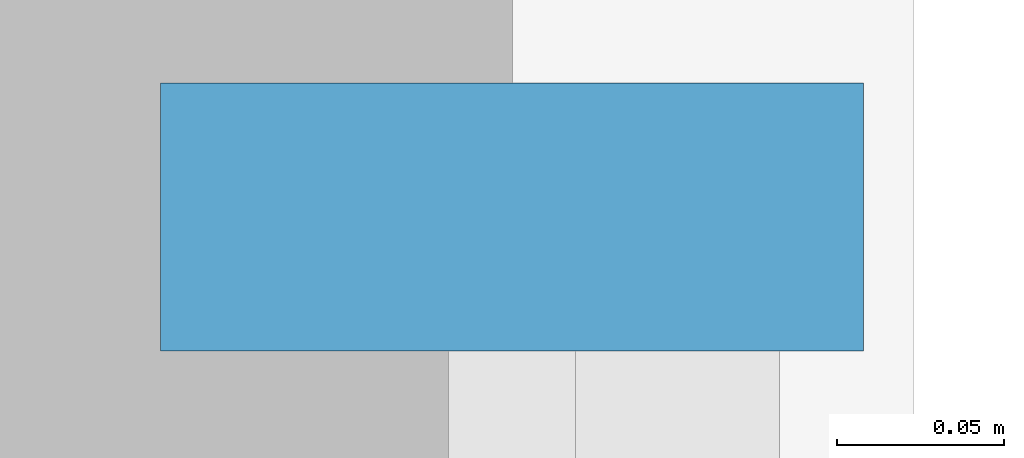
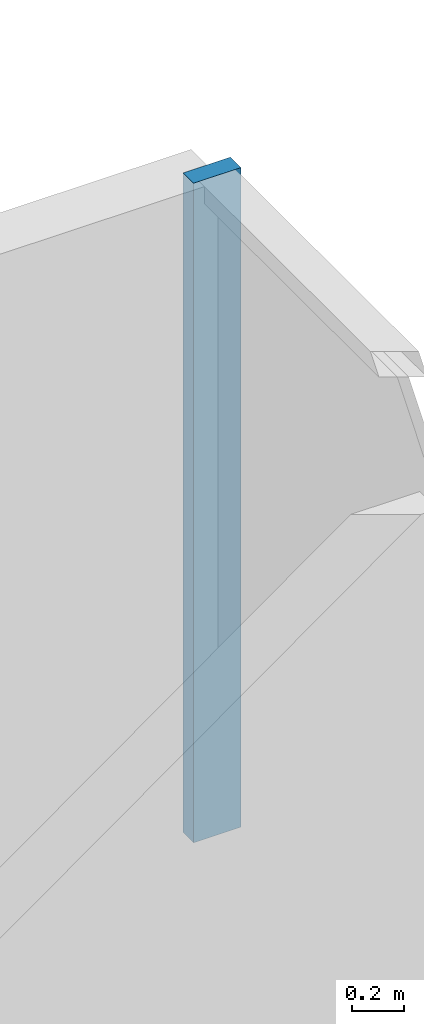
# One storey, part 5 of 12: 1 member, 1 element without a shape of its own.
"""IFC4 building model written with IfcOpenShell, lengths in metres."""

from ifc_helpers import new_model, si_unit, direction, frame, origin, origin_2d, place, context, subcontext, project, spatial, rectangle, extrude, source, transform, mapped, material, layer, layer_set, material_profile, profile_set, type_object, element, aggregate, save


model = new_model("IFC4")

# Units and contexts
model_context = context("Model", 3, precision=1e-05, world=origin(), true_north=direction((0.0, 1.0)))
body_context = subcontext(model_context, "Body", "Model", "MODEL_VIEW")
ifc_project = project(units=[si_unit("LENGTHUNIT", "METRE"), si_unit("AREAUNIT", "SQUARE_METRE"), si_unit("VOLUMEUNIT", "CUBIC_METRE"), si_unit("PLANEANGLEUNIT", "RADIAN"), si_unit("MASSUNIT", "GRAM", prefix="KILO")], contexts=[model_context])

# Site, building, storey
site_placement = place(None, origin())
site = spatial("IfcSite", under=ifc_project, at=site_placement, CompositionType="ELEMENT")
building_placement = place(site_placement, origin())
building = spatial("IfcBuilding", under=site, at=building_placement, Name="Qianlan Lanfeng Residences", CompositionType="ELEMENT")
storey_placement = place(building_placement, frame((0.0, 0.0, 63.800048828125)))
storey = spatial("IfcBuildingStorey", under=building, at=storey_placement, Name="L17", CompositionType="ELEMENT", Elevation=63.800048828125)

# Curtain wall, member
ifc_material = material(Name="Anodised Bronze Aluminium 6063-T6", Category="aluminium")
ifc_layer = layer(ifc_material, 0.219970703125)
ifc_layer_set = layer_set([ifc_layer], Name="Anodised Bronze Aluminium 6063-T6")
curtain_wall_type = type_object("IfcCurtainWallType", Name="CW-02", PredefinedType="NOTDEFINED", material=ifc_layer_set)
curtain_wall_placement = place(storey_placement, origin())
curtain_wall = element("IfcCurtainWall", 1, at=curtain_wall_placement, inside=storey, type_object=curtain_wall_type, Name="L17 Unitised Curtain Wall CWR-L17-05 (CW-02)", PredefinedType="NOTDEFINED")
ifc_material_profile = material_profile(ifc_material, rectangle(XDim=0.080078125, YDim=0.2099609375, at=origin_2d()), Name="ALU MULLION 80x210")
ifc_profile_set = profile_set([ifc_material_profile], Name="Anodised Bronze Aluminium 6063-T6")
member_type = type_object("IfcMemberType", Name="CWM-220", PredefinedType="MULLION", material=ifc_profile_set)
shared_shape = source(origin(), body_context, "Body", "SweptSolid", [
    extrude(rectangle(XDim=0.080078125, YDim=0.2099609375, at=origin_2d()), origin(), (0.0, 0.0, 1.0), 3.079833984375),
])
member_placement = place(storey_placement, frame((52.8798828125, 34.889892578125, 0.0), z_axis=(0.0, 0.0, 1.0), x_axis=(0.0, 1.0, 0.0)))
member = element("IfcMember", 2, at=member_placement, type_object=member_type, Name="CWR-L17-05 Mullion 3", PredefinedType="MULLION", context=body_context, shape_type="MappedRepresentation", body=[
    mapped(shared_shape, transform((0.0, 0.0, 0.0), scale=1.0)),
])
aggregate(curtain_wall, [member])

save(model, "model.ifc")
